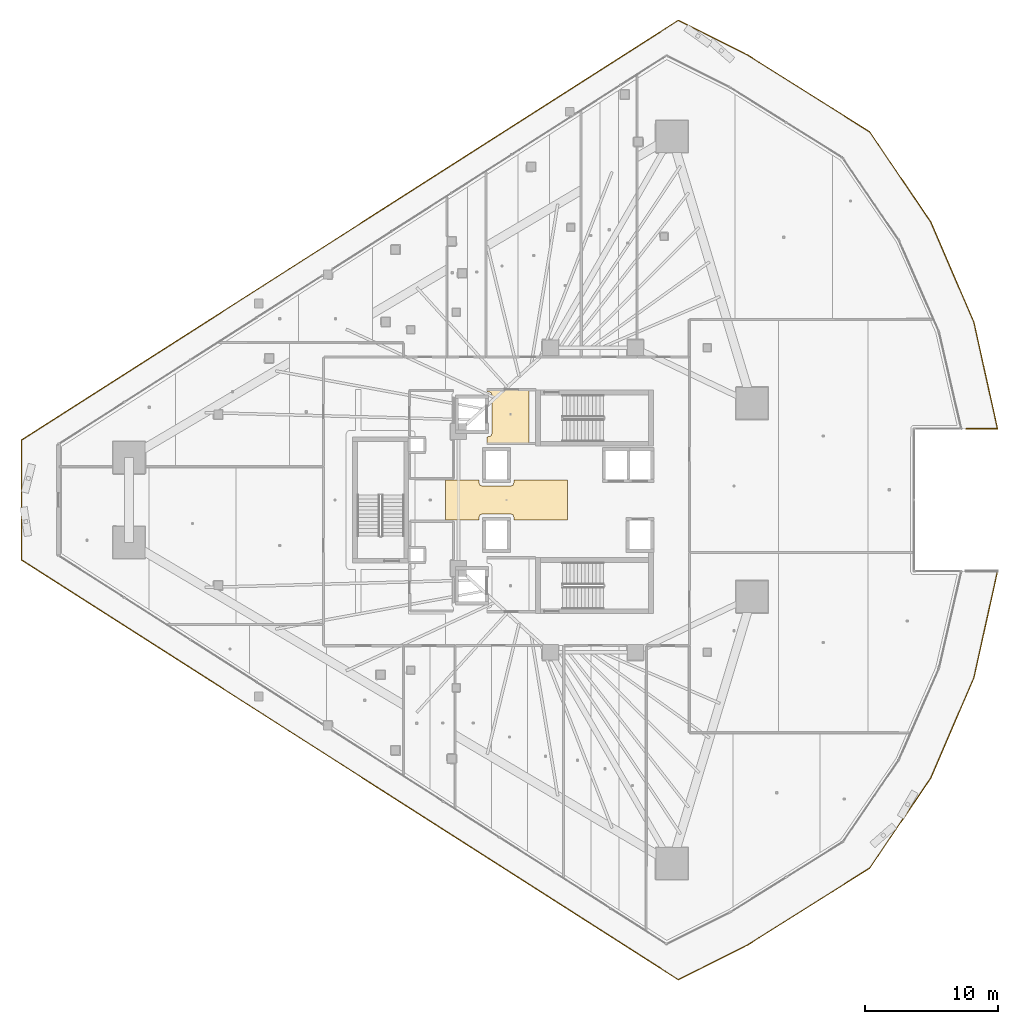
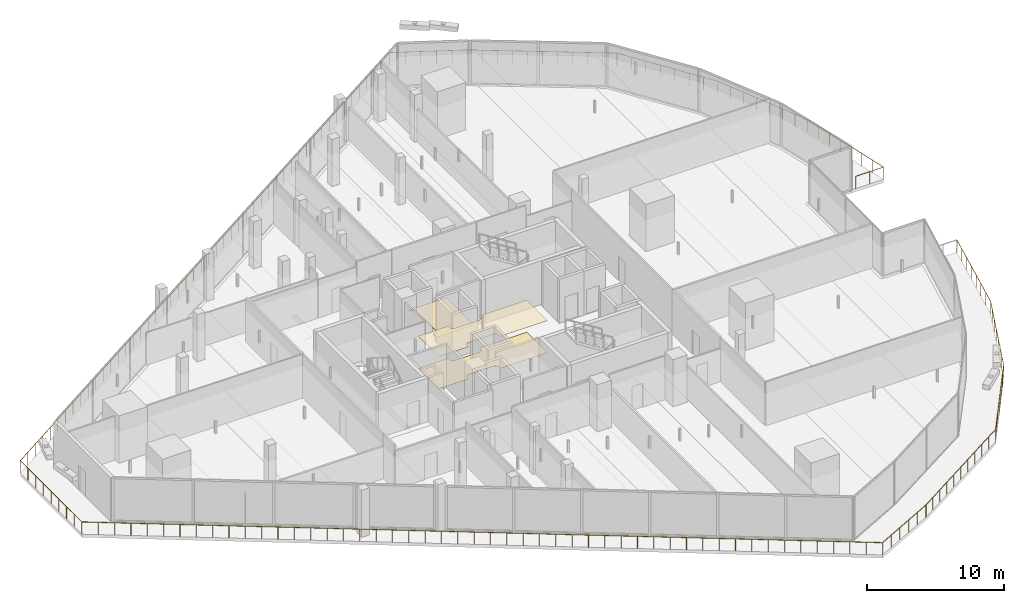
# One storey, part 42 of 44: 3 coverings, 1 railing.
"""IFC4 building model written with IfcOpenShell, lengths in metres."""

from ifc_helpers import new_model, si_unit, direction, frame, origin, origin_2d, place, context, subcontext, project, spatial, polyline, circle, outline, extrude, material, layer, layer_set, type_object, element, save


model = new_model("IFC4")

# Units and contexts
model_context = context("Model", 3, precision=1e-05, world=origin(), true_north=direction((0.0, 1.0)))
body_context = subcontext(model_context, "Body", "Model", "MODEL_VIEW")
ifc_project = project(units=[si_unit("LENGTHUNIT", "METRE"), si_unit("AREAUNIT", "SQUARE_METRE"), si_unit("VOLUMEUNIT", "CUBIC_METRE"), si_unit("PLANEANGLEUNIT", "RADIAN"), si_unit("MASSUNIT", "GRAM", prefix="KILO")], contexts=[model_context])

# Site, building, storey
site_placement = place(None, origin())
site = spatial("IfcSite", under=ifc_project, at=site_placement, CompositionType="ELEMENT")
building_placement = place(site_placement, origin())
building = spatial("IfcBuilding", under=site, at=building_placement, Name="Qorvath Tower", CompositionType="ELEMENT")
storey_placement = place(building_placement, frame((0.0, 0.0, 45.0)))
storey = spatial("IfcBuildingStorey", under=building, at=storey_placement, Name="L09", CompositionType="ELEMENT", Elevation=45.0)

# Coverings
ifc_material_1 = material(Name="Acoustic mineral fibre ceiling tile", Category="gypsum")
ifc_layer_1 = layer(ifc_material_1, 0.030029296875)
ifc_layer_set_1 = layer_set([ifc_layer_1], Name="COV-CEIL")
covering_type_1 = type_object("IfcCoveringType", Name="COV-CEIL", PredefinedType="CEILING", material=ifc_layer_set_1)
covering_1_placement = place(storey_placement, frame((0.0, 0.0, 2.85009765625)))
element("IfcCovering", 1, at=covering_1_placement, inside=storey, type_object=covering_type_1, Name="L09 Suspended Acoustic Ceiling 007", PredefinedType="CEILING", context=body_context, shape_type="SweptSolid", body=[
    extrude(outline(polyline([(-22.318359375, -1.514892578125), (-22.318359375, 1.514892578125), (-26.340087890625, 1.514892578125), (-26.340087890625, 1.2900390625), (-26.413330078125, 1.11328125), (-26.590087890625, 1.0400390625), (-28.7099609375, 1.0400390625), (-28.88671875, 1.11328125), (-28.9599609375, 1.2900390625), (-28.9599609375, 1.514892578125), (-31.481689453125, 1.514892578125), (-31.481689453125, -1.514892578125), (-28.9599609375, -1.514892578125), (-28.9599609375, -1.2900390625), (-28.88671875, -1.11328125), (-28.7099609375, -1.0400390625), (-26.590087890625, -1.0400390625), (-26.413330078125, -1.11328125), (-26.340087890625, -1.2900390625), (-26.340087890625, -1.514892578125), (-22.318359375, -1.514892578125)])), origin(), (0.0, 0.0, 1.0), 0.030029296875),
])
ifc_material_2 = material(Name="Polished epoxy terrazzo flooring", Category="concrete")
ifc_layer_2 = layer(ifc_material_2, 0.02001953125)
ifc_layer_set_2 = layer_set([ifc_layer_2], Name="COV-FLOOR-TRZ")
covering_type_2 = type_object("IfcCoveringType", Name="COV-FLOOR-TRZ", PredefinedType="FLOORING", material=ifc_layer_set_2)
covering_2_placement = place(storey_placement, origin())
element("IfcCovering", 2, at=covering_2_placement, inside=storey, type_object=covering_type_2, Name="L09 Floor Finish 001", PredefinedType="FLOORING", context=body_context, shape_type="SweptSolid", body=[
    extrude(outline(polyline([(-25.18994140625, 4.2548828125), (-25.18994140625, 8.294921875), (-28.375, 8.294921875), (-28.375, 8.159912109375), (-28.063232421875, 8.086669921875), (-27.989990234375, 7.909912109375), (-27.989990234375, 4.989990234375), (-28.063232421875, 4.813232421875), (-28.375, 4.739990234375), (-28.375, 4.2548828125), (-25.18994140625, 4.2548828125)])), origin(), (0.0, 0.0, 1.0), 0.014892578125),
])
covering_3_placement = place(storey_placement, origin())
element("IfcCovering", 3, at=covering_3_placement, inside=storey, type_object=covering_type_2, Name="L09 Floor Finish 007", PredefinedType="FLOORING", context=body_context, shape_type="SweptSolid", body=[
    extrude(outline(polyline([(-22.318359375, -1.514892578125), (-22.318359375, 1.514892578125), (-26.340087890625, 1.514892578125), (-26.340087890625, 1.2900390625), (-26.413330078125, 1.11328125), (-26.590087890625, 1.0400390625), (-28.7099609375, 1.0400390625), (-28.88671875, 1.11328125), (-28.9599609375, 1.2900390625), (-28.9599609375, 1.514892578125), (-31.481689453125, 1.514892578125), (-31.481689453125, -1.514892578125), (-28.9599609375, -1.514892578125), (-28.9599609375, -1.2900390625), (-28.88671875, -1.11328125), (-28.7099609375, -1.0400390625), (-26.590087890625, -1.0400390625), (-26.413330078125, -1.11328125), (-26.340087890625, -1.2900390625), (-26.340087890625, -1.514892578125), (-22.318359375, -1.514892578125)])), origin(), (0.0, 0.0, 1.0), 0.014892578125),
])

# Railing
ifc_material_3 = material(Name="Laminated safety glass and stainless steel AISI 316", Category="steel")
railing_type = type_object("IfcRailingType", Name="RL-EXT-GRD", PredefinedType="GUARDRAIL", material=ifc_material_3)
railing_placement = place(storey_placement, frame((10.030029296875, -5.356689453125, 0.0)))
element("IfcRailing", 4, at=railing_placement, inside=storey, type_object=railing_type, Name="Loggia Perimeter Guardrail L09-1.1", PredefinedType="GUARDRAIL", context=body_context, shape_type="SweptSolid", body=[
    extrude(circle(Radius=0.02392578125, at=origin_2d()), frame((0.0, 0.0, 1.09619140625), z_axis=(-0.216073224213, -0.976377161643, 0.0), x_axis=(0.976377161643, -0.216073224213, 0.0)), (0.0, 0.0, 1.0), 8.203125),
    extrude(circle(Radius=0.02392578125, at=origin_2d()), frame((-1.7724609375, -8.00927734375, 1.09619140625), z_axis=(-0.395484853012, -0.918472498792, 0.0), x_axis=(0.918472498792, -0.395484853012, 0.0)), (0.0, 0.0, 1.0), 8.202880859375),
    extrude(circle(Radius=0.02392578125, at=origin_2d()), frame((-5.0166015625, -15.54345703125, 1.09619140625), z_axis=(-0.560818530713, -0.827938751121, 0.0), x_axis=(0.827938751121, -0.560818530713, 0.0)), (0.0, 0.0, 1.0), 8.202880859375),
    extrude(circle(Radius=0.02392578125, at=origin_2d()), frame((-9.616943359375, -22.3349609375, 1.09619140625), z_axis=(-0.846493615639, -0.532398871789, 0.0), x_axis=(0.532398871789, -0.846493615639, 0.0)), (0.0, 0.0, 1.0), 10.908447265625),
    extrude(circle(Radius=0.02392578125, at=origin_2d()), frame((-18.850830078125, -28.142578125, 1.09619140625), z_axis=(-0.894427191, -0.4472135955, 0.0), x_axis=(0.4472135955, -0.894427191, 0.0)), (0.0, 0.0, 1.0), 5.76220703125),
    extrude(circle(Radius=0.02392578125, at=origin_2d()), frame((-24.004638671875, -30.719482421875, 1.09619140625), z_axis=(-0.842603389568, 0.538534611598, 0.0), x_axis=(-0.538534611598, -0.842603389568, 0.0)), (0.0, 0.0, 1.0), 58.61572265625),
    extrude(circle(Radius=0.02392578125, at=origin_2d()), frame((-73.39453125, 0.84716796875, 1.09619140625), z_axis=(0.0, 1.0, 0.0), x_axis=(-1.0, 0.0, 0.0)), (0.0, 0.0, 1.0), 9.01904296875),
    extrude(circle(Radius=0.02392578125, at=origin_2d()), frame((-73.39453125, 9.8662109375, 1.09619140625), z_axis=(0.842603389568, 0.538534611598, 0.0), x_axis=(-0.538534611598, 0.842603389568, 0.0)), (0.0, 0.0, 1.0), 58.61572265625),
    extrude(circle(Radius=0.02392578125, at=origin_2d()), frame((-24.004638671875, 41.432861328125, 1.09619140625), z_axis=(0.894427191, -0.4472135955, 0.0), x_axis=(0.4472135955, 0.894427191, 0.0)), (0.0, 0.0, 1.0), 5.76220703125),
    extrude(circle(Radius=0.02392578125, at=origin_2d()), frame((-18.850830078125, 38.85595703125, 1.09619140625), z_axis=(0.846493615639, -0.532398871789, 0.0), x_axis=(0.532398871789, 0.846493615639, 0.0)), (0.0, 0.0, 1.0), 10.908447265625),
    extrude(circle(Radius=0.02392578125, at=origin_2d()), frame((-9.616943359375, 33.04833984375, 1.09619140625), z_axis=(0.560818530713, -0.827938751121, 0.0), x_axis=(0.827938751121, 0.560818530713, 0.0)), (0.0, 0.0, 1.0), 8.202880859375),
    extrude(circle(Radius=0.02392578125, at=origin_2d()), frame((-5.0166015625, 26.2568359375, 1.09619140625), z_axis=(0.395484853012, -0.918472498792, 0.0), x_axis=(0.918472498792, 0.395484853012, 0.0)), (0.0, 0.0, 1.0), 8.202880859375),
    extrude(circle(Radius=0.02392578125, at=origin_2d()), frame((-1.7724609375, 18.72265625, 1.09619140625), z_axis=(0.216073224213, -0.976377161643, 0.0), x_axis=(0.976377161643, 0.216073224213, 0.0)), (0.0, 0.0, 1.0), 8.203125),
    extrude(circle(Radius=0.02392578125, at=origin_2d()), frame((0.0, 10.71337890625, 1.09619140625), z_axis=(-1.0, 0.0, 0.0), x_axis=(0.0, -1.0, 0.0)), (0.0, 0.0, 1.0), 2.3662109375),
    extrude(circle(Radius=0.02099609375, at=origin_2d()), origin(), (0.0, 0.0, 1.0), 1.072021484375),
    extrude(circle(Radius=0.02099609375, at=origin_2d()), frame((-0.253173828125, -1.144287109375, 0.0)), (0.0, 0.0, 1.0), 1.072021484375),
    extrude(circle(Radius=0.02099609375, at=origin_2d()), frame((-0.50634765625, -2.288330078125, 0.0)), (0.0, 0.0, 1.0), 1.072021484375),
    extrude(circle(Radius=0.02099609375, at=origin_2d()), frame((-0.759521484375, -3.4326171875, 0.0)), (0.0, 0.0, 1.0), 1.072021484375),
    extrude(circle(Radius=0.02099609375, at=origin_2d()), frame((-1.012939453125, -4.57666015625, 0.0)), (0.0, 0.0, 1.0), 1.072021484375),
    extrude(circle(Radius=0.02099609375, at=origin_2d()), frame((-1.26611328125, -5.720947265625, 0.0)), (0.0, 0.0, 1.0), 1.072021484375),
    extrude(circle(Radius=0.02099609375, at=origin_2d()), frame((-1.519287109375, -6.864990234375, 0.0)), (0.0, 0.0, 1.0), 1.072021484375),
    extrude(circle(Radius=0.02099609375, at=origin_2d()), frame((-1.7724609375, -8.00927734375, 0.0)), (0.0, 0.0, 1.0), 1.072021484375),
    extrude(circle(Radius=0.02099609375, at=origin_2d()), frame((-2.23583984375, -9.085693359375, 0.0)), (0.0, 0.0, 1.0), 1.072021484375),
    extrude(circle(Radius=0.02099609375, at=origin_2d()), frame((-2.699462890625, -10.161865234375, 0.0)), (0.0, 0.0, 1.0), 1.072021484375),
    extrude(circle(Radius=0.02099609375, at=origin_2d()), frame((-3.162841796875, -11.23828125, 0.0)), (0.0, 0.0, 1.0), 1.072021484375),
    extrude(circle(Radius=0.02099609375, at=origin_2d()), frame((-3.626220703125, -12.314453125, 0.0)), (0.0, 0.0, 1.0), 1.072021484375),
    extrude(circle(Radius=0.02099609375, at=origin_2d()), frame((-4.089599609375, -13.390869140625, 0.0)), (0.0, 0.0, 1.0), 1.072021484375),
    extrude(circle(Radius=0.02099609375, at=origin_2d()), frame((-4.55322265625, -14.467041015625, 0.0)), (0.0, 0.0, 1.0), 1.072021484375),
    extrude(circle(Radius=0.02099609375, at=origin_2d()), frame((-5.0166015625, -15.54345703125, 0.0)), (0.0, 0.0, 1.0), 1.072021484375),
    extrude(circle(Radius=0.02099609375, at=origin_2d()), frame((-5.673828125, -16.513671875, 0.0)), (0.0, 0.0, 1.0), 1.072021484375),
    extrude(circle(Radius=0.02099609375, at=origin_2d()), frame((-6.3310546875, -17.48388671875, 0.0)), (0.0, 0.0, 1.0), 1.072021484375),
    extrude(circle(Radius=0.02099609375, at=origin_2d()), frame((-6.98828125, -18.4541015625, 0.0)), (0.0, 0.0, 1.0), 1.072021484375),
    extrude(circle(Radius=0.02099609375, at=origin_2d()), frame((-7.645263671875, -19.42431640625, 0.0)), (0.0, 0.0, 1.0), 1.072021484375),
    extrude(circle(Radius=0.02099609375, at=origin_2d()), frame((-8.302490234375, -20.39453125, 0.0)), (0.0, 0.0, 1.0), 1.072021484375),
    extrude(circle(Radius=0.02099609375, at=origin_2d()), frame((-8.959716796875, -21.36474609375, 0.0)), (0.0, 0.0, 1.0), 1.072021484375),
    extrude(circle(Radius=0.02099609375, at=origin_2d()), frame((-9.616943359375, -22.3349609375, 0.0)), (0.0, 0.0, 1.0), 1.072021484375),
    extrude(circle(Radius=0.02099609375, at=origin_2d()), frame((-10.540283203125, -22.915771484375, 0.0)), (0.0, 0.0, 1.0), 1.072021484375),
    extrude(circle(Radius=0.02099609375, at=origin_2d()), frame((-11.463623046875, -23.49658203125, 0.0)), (0.0, 0.0, 1.0), 1.072021484375),
    extrude(circle(Radius=0.02099609375, at=origin_2d()), frame((-12.38720703125, -24.0771484375, 0.0)), (0.0, 0.0, 1.0), 1.072021484375),
    extrude(circle(Radius=0.02099609375, at=origin_2d()), frame((-13.310546875, -24.657958984375, 0.0)), (0.0, 0.0, 1.0), 1.072021484375),
    extrude(circle(Radius=0.02099609375, at=origin_2d()), frame((-14.23388671875, -25.23876953125, 0.0)), (0.0, 0.0, 1.0), 1.072021484375),
    extrude(circle(Radius=0.02099609375, at=origin_2d()), frame((-15.1572265625, -25.819580078125, 0.0)), (0.0, 0.0, 1.0), 1.072021484375),
    extrude(circle(Radius=0.02099609375, at=origin_2d()), frame((-16.08056640625, -26.400390625, 0.0)), (0.0, 0.0, 1.0), 1.072021484375),
    extrude(circle(Radius=0.02099609375, at=origin_2d()), frame((-17.004150390625, -26.98095703125, 0.0)), (0.0, 0.0, 1.0), 1.072021484375),
    extrude(circle(Radius=0.02099609375, at=origin_2d()), frame((-17.927490234375, -27.561767578125, 0.0)), (0.0, 0.0, 1.0), 1.072021484375),
    extrude(circle(Radius=0.02099609375, at=origin_2d()), frame((-18.850830078125, -28.142578125, 0.0)), (0.0, 0.0, 1.0), 1.072021484375),
    extrude(circle(Radius=0.02099609375, at=origin_2d()), frame((-19.881591796875, -28.657958984375, 0.0)), (0.0, 0.0, 1.0), 1.072021484375),
    extrude(circle(Radius=0.02099609375, at=origin_2d()), frame((-20.912353515625, -29.17333984375, 0.0)), (0.0, 0.0, 1.0), 1.072021484375),
    extrude(circle(Radius=0.02099609375, at=origin_2d()), frame((-21.943115234375, -29.688720703125, 0.0)), (0.0, 0.0, 1.0), 1.072021484375),
    extrude(circle(Radius=0.02099609375, at=origin_2d()), frame((-22.973876953125, -30.2041015625, 0.0)), (0.0, 0.0, 1.0), 1.072021484375),
    extrude(circle(Radius=0.02099609375, at=origin_2d()), frame((-24.004638671875, -30.719482421875, 0.0)), (0.0, 0.0, 1.0), 1.072021484375),
    extrude(circle(Radius=0.02099609375, at=origin_2d()), frame((-25.0126953125, -30.0751953125, 0.0)), (0.0, 0.0, 1.0), 1.072021484375),
    extrude(circle(Radius=0.02099609375, at=origin_2d()), frame((-26.0205078125, -29.43115234375, 0.0)), (0.0, 0.0, 1.0), 1.072021484375),
    extrude(circle(Radius=0.02099609375, at=origin_2d()), frame((-27.028564453125, -28.786865234375, 0.0)), (0.0, 0.0, 1.0), 1.072021484375),
    extrude(circle(Radius=0.02099609375, at=origin_2d()), frame((-28.036376953125, -28.142578125, 0.0)), (0.0, 0.0, 1.0), 1.072021484375),
    extrude(circle(Radius=0.02099609375, at=origin_2d()), frame((-29.04443359375, -27.498291015625, 0.0)), (0.0, 0.0, 1.0), 1.072021484375),
    extrude(circle(Radius=0.02099609375, at=origin_2d()), frame((-30.052490234375, -26.854248046875, 0.0)), (0.0, 0.0, 1.0), 1.072021484375),
    extrude(circle(Radius=0.02099609375, at=origin_2d()), frame((-31.060302734375, -26.2099609375, 0.0)), (0.0, 0.0, 1.0), 1.072021484375),
    extrude(circle(Radius=0.02099609375, at=origin_2d()), frame((-32.068359375, -25.565673828125, 0.0)), (0.0, 0.0, 1.0), 1.072021484375),
    extrude(circle(Radius=0.02099609375, at=origin_2d()), frame((-33.076171875, -24.921630859375, 0.0)), (0.0, 0.0, 1.0), 1.072021484375),
    extrude(circle(Radius=0.02099609375, at=origin_2d()), frame((-34.084228515625, -24.27734375, 0.0)), (0.0, 0.0, 1.0), 1.072021484375),
    extrude(circle(Radius=0.02099609375, at=origin_2d()), frame((-35.09228515625, -23.633056640625, 0.0)), (0.0, 0.0, 1.0), 1.072021484375),
    extrude(circle(Radius=0.02099609375, at=origin_2d()), frame((-36.10009765625, -22.98876953125, 0.0)), (0.0, 0.0, 1.0), 1.072021484375),
    extrude(circle(Radius=0.02099609375, at=origin_2d()), frame((-37.108154296875, -22.3447265625, 0.0)), (0.0, 0.0, 1.0), 1.072021484375),
    extrude(circle(Radius=0.02099609375, at=origin_2d()), frame((-38.115966796875, -21.700439453125, 0.0)), (0.0, 0.0, 1.0), 1.072021484375),
    extrude(circle(Radius=0.02099609375, at=origin_2d()), frame((-39.1240234375, -21.05615234375, 0.0)), (0.0, 0.0, 1.0), 1.072021484375),
    extrude(circle(Radius=0.02099609375, at=origin_2d()), frame((-40.1318359375, -20.412109375, 0.0)), (0.0, 0.0, 1.0), 1.072021484375),
    extrude(circle(Radius=0.02099609375, at=origin_2d()), frame((-41.139892578125, -19.767822265625, 0.0)), (0.0, 0.0, 1.0), 1.072021484375),
    extrude(circle(Radius=0.02099609375, at=origin_2d()), frame((-42.14794921875, -19.12353515625, 0.0)), (0.0, 0.0, 1.0), 1.072021484375),
    extrude(circle(Radius=0.02099609375, at=origin_2d()), frame((-43.15576171875, -18.479248046875, 0.0)), (0.0, 0.0, 1.0), 1.072021484375),
    extrude(circle(Radius=0.02099609375, at=origin_2d()), frame((-44.163818359375, -17.835205078125, 0.0)), (0.0, 0.0, 1.0), 1.072021484375),
    extrude(circle(Radius=0.02099609375, at=origin_2d()), frame((-45.171630859375, -17.19091796875, 0.0)), (0.0, 0.0, 1.0), 1.072021484375),
    extrude(circle(Radius=0.02099609375, at=origin_2d()), frame((-46.1796875, -16.546630859375, 0.0)), (0.0, 0.0, 1.0), 1.072021484375),
    extrude(circle(Radius=0.02099609375, at=origin_2d()), frame((-47.187744140625, -15.902587890625, 0.0)), (0.0, 0.0, 1.0), 1.072021484375),
    extrude(circle(Radius=0.02099609375, at=origin_2d()), frame((-48.195556640625, -15.25830078125, 0.0)), (0.0, 0.0, 1.0), 1.072021484375),
    extrude(circle(Radius=0.02099609375, at=origin_2d()), frame((-49.20361328125, -14.614013671875, 0.0)), (0.0, 0.0, 1.0), 1.072021484375),
    extrude(circle(Radius=0.02099609375, at=origin_2d()), frame((-50.21142578125, -13.9697265625, 0.0)), (0.0, 0.0, 1.0), 1.072021484375),
    extrude(circle(Radius=0.02099609375, at=origin_2d()), frame((-51.219482421875, -13.32568359375, 0.0)), (0.0, 0.0, 1.0), 1.072021484375),
    extrude(circle(Radius=0.02099609375, at=origin_2d()), frame((-52.2275390625, -12.681396484375, 0.0)), (0.0, 0.0, 1.0), 1.072021484375),
    extrude(circle(Radius=0.02099609375, at=origin_2d()), frame((-53.2353515625, -12.037109375, 0.0)), (0.0, 0.0, 1.0), 1.072021484375),
    extrude(circle(Radius=0.02099609375, at=origin_2d()), frame((-54.243408203125, -11.39306640625, 0.0)), (0.0, 0.0, 1.0), 1.072021484375),
    extrude(circle(Radius=0.02099609375, at=origin_2d()), frame((-55.251220703125, -10.748779296875, 0.0)), (0.0, 0.0, 1.0), 1.072021484375),
    extrude(circle(Radius=0.02099609375, at=origin_2d()), frame((-56.25927734375, -10.1044921875, 0.0)), (0.0, 0.0, 1.0), 1.072021484375),
    extrude(circle(Radius=0.02099609375, at=origin_2d()), frame((-57.267333984375, -9.460205078125, 0.0)), (0.0, 0.0, 1.0), 1.072021484375),
    extrude(circle(Radius=0.02099609375, at=origin_2d()), frame((-58.275146484375, -8.816162109375, 0.0)), (0.0, 0.0, 1.0), 1.072021484375),
    extrude(circle(Radius=0.02099609375, at=origin_2d()), frame((-59.283203125, -8.171875, 0.0)), (0.0, 0.0, 1.0), 1.072021484375),
    extrude(circle(Radius=0.02099609375, at=origin_2d()), frame((-60.291015625, -7.527587890625, 0.0)), (0.0, 0.0, 1.0), 1.072021484375),
    extrude(circle(Radius=0.02099609375, at=origin_2d()), frame((-61.299072265625, -6.883544921875, 0.0)), (0.0, 0.0, 1.0), 1.072021484375),
    extrude(circle(Radius=0.02099609375, at=origin_2d()), frame((-62.306884765625, -6.2392578125, 0.0)), (0.0, 0.0, 1.0), 1.072021484375),
    extrude(circle(Radius=0.02099609375, at=origin_2d()), frame((-63.31494140625, -5.594970703125, 0.0)), (0.0, 0.0, 1.0), 1.072021484375),
    extrude(circle(Radius=0.02099609375, at=origin_2d()), frame((-64.322998046875, -4.95068359375, 0.0)), (0.0, 0.0, 1.0), 1.072021484375),
    extrude(circle(Radius=0.02099609375, at=origin_2d()), frame((-65.330810546875, -4.306640625, 0.0)), (0.0, 0.0, 1.0), 1.072021484375),
    extrude(circle(Radius=0.02099609375, at=origin_2d()), frame((-66.3388671875, -3.662353515625, 0.0)), (0.0, 0.0, 1.0), 1.072021484375),
    extrude(circle(Radius=0.02099609375, at=origin_2d()), frame((-67.3466796875, -3.01806640625, 0.0)), (0.0, 0.0, 1.0), 1.072021484375),
    extrude(circle(Radius=0.02099609375, at=origin_2d()), frame((-68.354736328125, -2.3740234375, 0.0)), (0.0, 0.0, 1.0), 1.072021484375),
    extrude(circle(Radius=0.02099609375, at=origin_2d()), frame((-69.36279296875, -1.729736328125, 0.0)), (0.0, 0.0, 1.0), 1.072021484375),
    extrude(circle(Radius=0.02099609375, at=origin_2d()), frame((-70.37060546875, -1.08544921875, 0.0)), (0.0, 0.0, 1.0), 1.072021484375),
    extrude(circle(Radius=0.02099609375, at=origin_2d()), frame((-71.378662109375, -0.441162109375, 0.0)), (0.0, 0.0, 1.0), 1.072021484375),
    extrude(circle(Radius=0.02099609375, at=origin_2d()), frame((-72.386474609375, 0.202880859375, 0.0)), (0.0, 0.0, 1.0), 1.072021484375),
    extrude(circle(Radius=0.02099609375, at=origin_2d()), frame((-73.39453125, 0.84716796875, 0.0)), (0.0, 0.0, 1.0), 1.072021484375),
    extrude(circle(Radius=0.02099609375, at=origin_2d()), frame((-73.39453125, 1.974609375, 0.0)), (0.0, 0.0, 1.0), 1.072021484375),
    extrude(circle(Radius=0.02099609375, at=origin_2d()), frame((-73.39453125, 3.10205078125, 0.0)), (0.0, 0.0, 1.0), 1.072021484375),
    extrude(circle(Radius=0.02099609375, at=origin_2d()), frame((-73.39453125, 4.229248046875, 0.0)), (0.0, 0.0, 1.0), 1.072021484375),
    extrude(circle(Radius=0.02099609375, at=origin_2d()), frame((-73.39453125, 5.356689453125, 0.0)), (0.0, 0.0, 1.0), 1.072021484375),
    extrude(circle(Radius=0.02099609375, at=origin_2d()), frame((-73.39453125, 6.484130859375, 0.0)), (0.0, 0.0, 1.0), 1.072021484375),
    extrude(circle(Radius=0.02099609375, at=origin_2d()), frame((-73.39453125, 7.611328125, 0.0)), (0.0, 0.0, 1.0), 1.072021484375),
    extrude(circle(Radius=0.02099609375, at=origin_2d()), frame((-73.39453125, 8.73876953125, 0.0)), (0.0, 0.0, 1.0), 1.072021484375),
    extrude(circle(Radius=0.02099609375, at=origin_2d()), frame((-73.39453125, 9.8662109375, 0.0)), (0.0, 0.0, 1.0), 1.072021484375),
    extrude(circle(Radius=0.02099609375, at=origin_2d()), frame((-72.386474609375, 10.510498046875, 0.0)), (0.0, 0.0, 1.0), 1.072021484375),
    extrude(circle(Radius=0.02099609375, at=origin_2d()), frame((-71.378662109375, 11.154541015625, 0.0)), (0.0, 0.0, 1.0), 1.072021484375),
    extrude(circle(Radius=0.02099609375, at=origin_2d()), frame((-70.37060546875, 11.798828125, 0.0)), (0.0, 0.0, 1.0), 1.072021484375),
    extrude(circle(Radius=0.02099609375, at=origin_2d()), frame((-69.36279296875, 12.443115234375, 0.0)), (0.0, 0.0, 1.0), 1.072021484375),
    extrude(circle(Radius=0.02099609375, at=origin_2d()), frame((-68.354736328125, 13.08740234375, 0.0)), (0.0, 0.0, 1.0), 1.072021484375),
    extrude(circle(Radius=0.02099609375, at=origin_2d()), frame((-67.3466796875, 13.7314453125, 0.0)), (0.0, 0.0, 1.0), 1.072021484375),
    extrude(circle(Radius=0.02099609375, at=origin_2d()), frame((-66.3388671875, 14.375732421875, 0.0)), (0.0, 0.0, 1.0), 1.072021484375),
    extrude(circle(Radius=0.02099609375, at=origin_2d()), frame((-65.330810546875, 15.02001953125, 0.0)), (0.0, 0.0, 1.0), 1.072021484375),
    extrude(circle(Radius=0.02099609375, at=origin_2d()), frame((-64.322998046875, 15.6640625, 0.0)), (0.0, 0.0, 1.0), 1.072021484375),
    extrude(circle(Radius=0.02099609375, at=origin_2d()), frame((-63.31494140625, 16.308349609375, 0.0)), (0.0, 0.0, 1.0), 1.072021484375),
    extrude(circle(Radius=0.02099609375, at=origin_2d()), frame((-62.306884765625, 16.95263671875, 0.0)), (0.0, 0.0, 1.0), 1.072021484375),
    extrude(circle(Radius=0.02099609375, at=origin_2d()), frame((-61.299072265625, 17.596923828125, 0.0)), (0.0, 0.0, 1.0), 1.072021484375),
    extrude(circle(Radius=0.02099609375, at=origin_2d()), frame((-60.291015625, 18.240966796875, 0.0)), (0.0, 0.0, 1.0), 1.072021484375),
    extrude(circle(Radius=0.02099609375, at=origin_2d()), frame((-59.283203125, 18.88525390625, 0.0)), (0.0, 0.0, 1.0), 1.072021484375),
    extrude(circle(Radius=0.02099609375, at=origin_2d()), frame((-58.275146484375, 19.529541015625, 0.0)), (0.0, 0.0, 1.0), 1.072021484375),
    extrude(circle(Radius=0.02099609375, at=origin_2d()), frame((-57.267333984375, 20.173583984375, 0.0)), (0.0, 0.0, 1.0), 1.072021484375),
    extrude(circle(Radius=0.02099609375, at=origin_2d()), frame((-56.25927734375, 20.81787109375, 0.0)), (0.0, 0.0, 1.0), 1.072021484375),
    extrude(circle(Radius=0.02099609375, at=origin_2d()), frame((-55.251220703125, 21.462158203125, 0.0)), (0.0, 0.0, 1.0), 1.072021484375),
    extrude(circle(Radius=0.02099609375, at=origin_2d()), frame((-54.243408203125, 22.1064453125, 0.0)), (0.0, 0.0, 1.0), 1.072021484375),
    extrude(circle(Radius=0.02099609375, at=origin_2d()), frame((-53.2353515625, 22.75048828125, 0.0)), (0.0, 0.0, 1.0), 1.072021484375),
    extrude(circle(Radius=0.02099609375, at=origin_2d()), frame((-52.2275390625, 23.394775390625, 0.0)), (0.0, 0.0, 1.0), 1.072021484375),
    extrude(circle(Radius=0.02099609375, at=origin_2d()), frame((-51.219482421875, 24.0390625, 0.0)), (0.0, 0.0, 1.0), 1.072021484375),
    extrude(circle(Radius=0.02099609375, at=origin_2d()), frame((-50.21142578125, 24.68310546875, 0.0)), (0.0, 0.0, 1.0), 1.072021484375),
    extrude(circle(Radius=0.02099609375, at=origin_2d()), frame((-49.20361328125, 25.327392578125, 0.0)), (0.0, 0.0, 1.0), 1.072021484375),
    extrude(circle(Radius=0.02099609375, at=origin_2d()), frame((-48.195556640625, 25.9716796875, 0.0)), (0.0, 0.0, 1.0), 1.072021484375),
    extrude(circle(Radius=0.02099609375, at=origin_2d()), frame((-47.187744140625, 26.615966796875, 0.0)), (0.0, 0.0, 1.0), 1.072021484375),
    extrude(circle(Radius=0.02099609375, at=origin_2d()), frame((-46.1796875, 27.260009765625, 0.0)), (0.0, 0.0, 1.0), 1.072021484375),
    extrude(circle(Radius=0.02099609375, at=origin_2d()), frame((-45.171630859375, 27.904296875, 0.0)), (0.0, 0.0, 1.0), 1.072021484375),
    extrude(circle(Radius=0.02099609375, at=origin_2d()), frame((-44.163818359375, 28.548583984375, 0.0)), (0.0, 0.0, 1.0), 1.072021484375),
    extrude(circle(Radius=0.02099609375, at=origin_2d()), frame((-43.15576171875, 29.192626953125, 0.0)), (0.0, 0.0, 1.0), 1.072021484375),
    extrude(circle(Radius=0.02099609375, at=origin_2d()), frame((-42.14794921875, 29.8369140625, 0.0)), (0.0, 0.0, 1.0), 1.072021484375),
    extrude(circle(Radius=0.02099609375, at=origin_2d()), frame((-41.139892578125, 30.481201171875, 0.0)), (0.0, 0.0, 1.0), 1.072021484375),
    extrude(circle(Radius=0.02099609375, at=origin_2d()), frame((-40.1318359375, 31.12548828125, 0.0)), (0.0, 0.0, 1.0), 1.072021484375),
    extrude(circle(Radius=0.02099609375, at=origin_2d()), frame((-39.1240234375, 31.76953125, 0.0)), (0.0, 0.0, 1.0), 1.072021484375),
    extrude(circle(Radius=0.02099609375, at=origin_2d()), frame((-38.115966796875, 32.413818359375, 0.0)), (0.0, 0.0, 1.0), 1.072021484375),
    extrude(circle(Radius=0.02099609375, at=origin_2d()), frame((-37.108154296875, 33.05810546875, 0.0)), (0.0, 0.0, 1.0), 1.072021484375),
    extrude(circle(Radius=0.02099609375, at=origin_2d()), frame((-36.10009765625, 33.7021484375, 0.0)), (0.0, 0.0, 1.0), 1.072021484375),
    extrude(circle(Radius=0.02099609375, at=origin_2d()), frame((-35.09228515625, 34.346435546875, 0.0)), (0.0, 0.0, 1.0), 1.072021484375),
    extrude(circle(Radius=0.02099609375, at=origin_2d()), frame((-34.084228515625, 34.99072265625, 0.0)), (0.0, 0.0, 1.0), 1.072021484375),
    extrude(circle(Radius=0.02099609375, at=origin_2d()), frame((-33.076171875, 35.635009765625, 0.0)), (0.0, 0.0, 1.0), 1.072021484375),
    extrude(circle(Radius=0.02099609375, at=origin_2d()), frame((-32.068359375, 36.279052734375, 0.0)), (0.0, 0.0, 1.0), 1.072021484375),
    extrude(circle(Radius=0.02099609375, at=origin_2d()), frame((-31.060302734375, 36.92333984375, 0.0)), (0.0, 0.0, 1.0), 1.072021484375),
    extrude(circle(Radius=0.02099609375, at=origin_2d()), frame((-30.052490234375, 37.567626953125, 0.0)), (0.0, 0.0, 1.0), 1.072021484375),
    extrude(circle(Radius=0.02099609375, at=origin_2d()), frame((-29.04443359375, 38.211669921875, 0.0)), (0.0, 0.0, 1.0), 1.072021484375),
    extrude(circle(Radius=0.02099609375, at=origin_2d()), frame((-28.036376953125, 38.85595703125, 0.0)), (0.0, 0.0, 1.0), 1.072021484375),
    extrude(circle(Radius=0.02099609375, at=origin_2d()), frame((-27.028564453125, 39.500244140625, 0.0)), (0.0, 0.0, 1.0), 1.072021484375),
    extrude(circle(Radius=0.02099609375, at=origin_2d()), frame((-26.0205078125, 40.14453125, 0.0)), (0.0, 0.0, 1.0), 1.072021484375),
    extrude(circle(Radius=0.02099609375, at=origin_2d()), frame((-25.0126953125, 40.78857421875, 0.0)), (0.0, 0.0, 1.0), 1.072021484375),
    extrude(circle(Radius=0.02099609375, at=origin_2d()), frame((-24.004638671875, 41.432861328125, 0.0)), (0.0, 0.0, 1.0), 1.072021484375),
    extrude(circle(Radius=0.02099609375, at=origin_2d()), frame((-22.973876953125, 40.91748046875, 0.0)), (0.0, 0.0, 1.0), 1.072021484375),
    extrude(circle(Radius=0.02099609375, at=origin_2d()), frame((-21.943115234375, 40.402099609375, 0.0)), (0.0, 0.0, 1.0), 1.072021484375),
    extrude(circle(Radius=0.02099609375, at=origin_2d()), frame((-20.912353515625, 39.88671875, 0.0)), (0.0, 0.0, 1.0), 1.072021484375),
    extrude(circle(Radius=0.02099609375, at=origin_2d()), frame((-19.881591796875, 39.371337890625, 0.0)), (0.0, 0.0, 1.0), 1.072021484375),
    extrude(circle(Radius=0.02099609375, at=origin_2d()), frame((-18.850830078125, 38.85595703125, 0.0)), (0.0, 0.0, 1.0), 1.072021484375),
    extrude(circle(Radius=0.02099609375, at=origin_2d()), frame((-17.927490234375, 38.275146484375, 0.0)), (0.0, 0.0, 1.0), 1.072021484375),
    extrude(circle(Radius=0.02099609375, at=origin_2d()), frame((-17.004150390625, 37.6943359375, 0.0)), (0.0, 0.0, 1.0), 1.072021484375),
    extrude(circle(Radius=0.02099609375, at=origin_2d()), frame((-16.08056640625, 37.11376953125, 0.0)), (0.0, 0.0, 1.0), 1.072021484375),
    extrude(circle(Radius=0.02099609375, at=origin_2d()), frame((-15.1572265625, 36.532958984375, 0.0)), (0.0, 0.0, 1.0), 1.072021484375),
    extrude(circle(Radius=0.02099609375, at=origin_2d()), frame((-14.23388671875, 35.9521484375, 0.0)), (0.0, 0.0, 1.0), 1.072021484375),
    extrude(circle(Radius=0.02099609375, at=origin_2d()), frame((-13.310546875, 35.371337890625, 0.0)), (0.0, 0.0, 1.0), 1.072021484375),
    extrude(circle(Radius=0.02099609375, at=origin_2d()), frame((-12.38720703125, 34.79052734375, 0.0)), (0.0, 0.0, 1.0), 1.072021484375),
    extrude(circle(Radius=0.02099609375, at=origin_2d()), frame((-11.463623046875, 34.2099609375, 0.0)), (0.0, 0.0, 1.0), 1.072021484375),
    extrude(circle(Radius=0.02099609375, at=origin_2d()), frame((-10.540283203125, 33.629150390625, 0.0)), (0.0, 0.0, 1.0), 1.072021484375),
    extrude(circle(Radius=0.02099609375, at=origin_2d()), frame((-9.616943359375, 33.04833984375, 0.0)), (0.0, 0.0, 1.0), 1.072021484375),
    extrude(circle(Radius=0.02099609375, at=origin_2d()), frame((-8.959716796875, 32.078125, 0.0)), (0.0, 0.0, 1.0), 1.072021484375),
    extrude(circle(Radius=0.02099609375, at=origin_2d()), frame((-8.302490234375, 31.10791015625, 0.0)), (0.0, 0.0, 1.0), 1.072021484375),
    extrude(circle(Radius=0.02099609375, at=origin_2d()), frame((-7.645263671875, 30.1376953125, 0.0)), (0.0, 0.0, 1.0), 1.072021484375),
    extrude(circle(Radius=0.02099609375, at=origin_2d()), frame((-6.98828125, 29.16748046875, 0.0)), (0.0, 0.0, 1.0), 1.072021484375),
    extrude(circle(Radius=0.02099609375, at=origin_2d()), frame((-6.3310546875, 28.197265625, 0.0)), (0.0, 0.0, 1.0), 1.072021484375),
    extrude(circle(Radius=0.02099609375, at=origin_2d()), frame((-5.673828125, 27.22705078125, 0.0)), (0.0, 0.0, 1.0), 1.072021484375),
    extrude(circle(Radius=0.02099609375, at=origin_2d()), frame((-5.0166015625, 26.2568359375, 0.0)), (0.0, 0.0, 1.0), 1.072021484375),
    extrude(circle(Radius=0.02099609375, at=origin_2d()), frame((-4.55322265625, 25.180419921875, 0.0)), (0.0, 0.0, 1.0), 1.072021484375),
    extrude(circle(Radius=0.02099609375, at=origin_2d()), frame((-4.089599609375, 24.104248046875, 0.0)), (0.0, 0.0, 1.0), 1.072021484375),
    extrude(circle(Radius=0.02099609375, at=origin_2d()), frame((-3.626220703125, 23.02783203125, 0.0)), (0.0, 0.0, 1.0), 1.072021484375),
    extrude(circle(Radius=0.02099609375, at=origin_2d()), frame((-3.162841796875, 21.95166015625, 0.0)), (0.0, 0.0, 1.0), 1.072021484375),
    extrude(circle(Radius=0.02099609375, at=origin_2d()), frame((-2.699462890625, 20.875244140625, 0.0)), (0.0, 0.0, 1.0), 1.072021484375),
    extrude(circle(Radius=0.02099609375, at=origin_2d()), frame((-2.23583984375, 19.799072265625, 0.0)), (0.0, 0.0, 1.0), 1.072021484375),
    extrude(circle(Radius=0.02099609375, at=origin_2d()), frame((-1.7724609375, 18.72265625, 0.0)), (0.0, 0.0, 1.0), 1.072021484375),
    extrude(circle(Radius=0.02099609375, at=origin_2d()), frame((-1.519287109375, 17.578369140625, 0.0)), (0.0, 0.0, 1.0), 1.072021484375),
    extrude(circle(Radius=0.02099609375, at=origin_2d()), frame((-1.26611328125, 16.434326171875, 0.0)), (0.0, 0.0, 1.0), 1.072021484375),
    extrude(circle(Radius=0.02099609375, at=origin_2d()), frame((-1.012939453125, 15.2900390625, 0.0)), (0.0, 0.0, 1.0), 1.072021484375),
    extrude(circle(Radius=0.02099609375, at=origin_2d()), frame((-0.759521484375, 14.14599609375, 0.0)), (0.0, 0.0, 1.0), 1.072021484375),
    extrude(circle(Radius=0.02099609375, at=origin_2d()), frame((-0.50634765625, 13.001708984375, 0.0)), (0.0, 0.0, 1.0), 1.072021484375),
    extrude(circle(Radius=0.02099609375, at=origin_2d()), frame((-0.253173828125, 11.857666015625, 0.0)), (0.0, 0.0, 1.0), 1.072021484375),
    extrude(circle(Radius=0.02099609375, at=origin_2d()), frame((0.0, 10.71337890625, 0.0)), (0.0, 0.0, 1.0), 1.072021484375),
    extrude(circle(Radius=0.02099609375, at=origin_2d()), frame((-1.18310546875, 10.71337890625, 0.0)), (0.0, 0.0, 1.0), 1.072021484375),
    extrude(circle(Radius=0.02099609375, at=origin_2d()), frame((-2.3662109375, 10.71337890625, 0.0)), (0.0, 0.0, 1.0), 1.072021484375),
])

save(model, "model.ifc")
